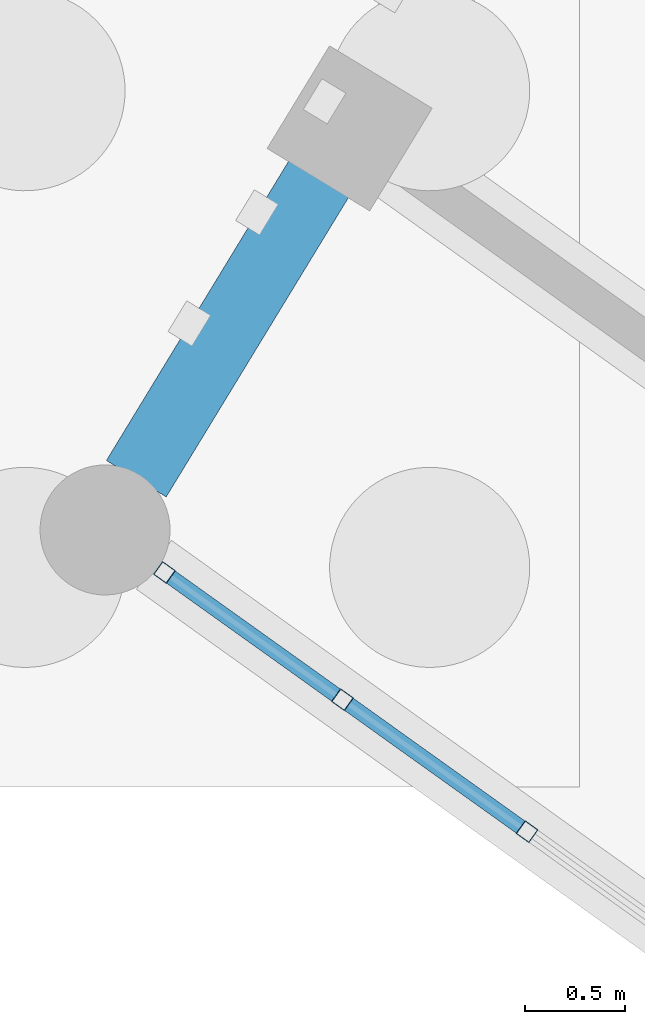
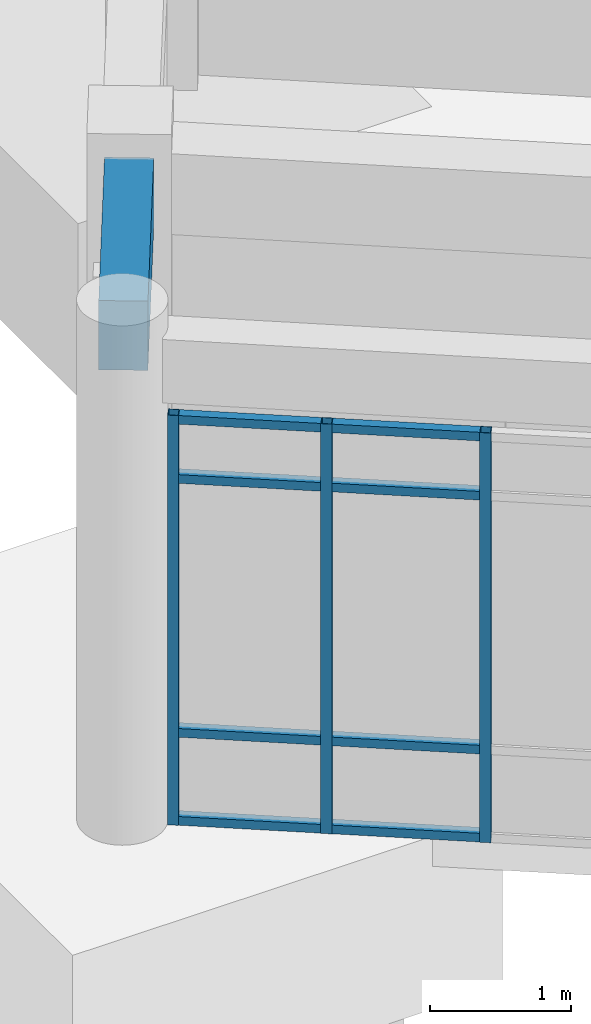
# One storey, part 77 of 153: 11 members, 1 beam, 1 element without a shape of its own.
"""IFC4 building model written with IfcOpenShell, lengths in metres."""

from ifc_helpers import new_model, si_unit, direction, frame, origin, origin_2d, place, context, subcontext, project, spatial, rectangle, hollow_rectangle, extrude, material, material_profile, profile_set, type_object, element, aggregate, save


model = new_model("IFC4")

# Units and contexts
model_context = context("Model", 3, precision=1e-05, world=origin(), true_north=direction((0.0, 1.0)))
body_context = subcontext(model_context, "Body", "Model", "MODEL_VIEW")
ifc_project = project(units=[si_unit("LENGTHUNIT", "METRE"), si_unit("AREAUNIT", "SQUARE_METRE"), si_unit("VOLUMEUNIT", "CUBIC_METRE"), si_unit("PLANEANGLEUNIT", "RADIAN"), si_unit("MASSUNIT", "GRAM", prefix="KILO")], contexts=[model_context])

# Site, building, storey
site_placement = place(None, origin())
site = spatial("IfcSite", under=ifc_project, at=site_placement, CompositionType="ELEMENT")
building_placement = place(site_placement, origin())
building = spatial("IfcBuilding", under=site, at=building_placement, Name="Celadon Cloister-Ring School", CompositionType="ELEMENT")
storey_placement = place(building_placement, origin())
storey = spatial("IfcBuildingStorey", under=building, at=storey_placement, Name="L00", CompositionType="ELEMENT", Elevation=0.0)

# Beam
ifc_material_1 = material(Name="Concrete C35/45", Category="concrete")
ifc_material_profile_1 = material_profile(ifc_material_1, rectangle(XDim=0.35009765625, YDim=0.60009765625, at=origin_2d()), Name="RC350X600")
ifc_profile_set_1 = profile_set([ifc_material_profile_1], Name="Concrete C35/45")
beam_type = type_object("IfcBeamType", Name="BT-02", PredefinedType="BEAM", material=ifc_profile_set_1)
beam_placement = place(storey_placement, frame((110.2490234375, 97.20703125, 3.97998046875), z_axis=(-0.520047301732, -0.854137461982, 0.0), x_axis=(0.854137461982, -0.520047301732, 0.0)))
element("IfcBeam", 1, at=beam_placement, inside=storey, type_object=beam_type, Name="Beam 0068", PredefinedType="BEAM", context=body_context, shape_type="SweptSolid", body=[
    extrude(rectangle(XDim=0.35009765625, YDim=0.60009765625, at=origin_2d()), origin(), (0.0, 0.0, 1.0), 1.77490234375),
])

# Curtain wall, members
ifc_material_2 = material(Name="Aluminium EN AW-6063 T6", Category="aluminium")
curtain_wall_type = type_object("IfcCurtainWallType", Name="CW-01", PredefinedType="USERDEFINED", material=ifc_material_2)
curtain_wall_placement = place(storey_placement, origin())
curtain_wall = element("IfcCurtainWall", 2, at=curtain_wall_placement, inside=storey, type_object=curtain_wall_type, Name="Curtain Wall 0020", ObjectType="CURTAIN WALL", PredefinedType="USERDEFINED")
ifc_material_3 = material(Name="Aluminium EN AW-6063 T6", Category="aluminium")
ifc_material_profile_2 = material_profile(ifc_material_3, hollow_rectangle(XDim=0.080078125, YDim=0.080078125, WallThickness=0.00390625, at=origin_2d()), Name="RHS80X80X4")
ifc_profile_set_2 = profile_set([ifc_material_profile_2], Name="Aluminium EN AW-6063 T6")
member_type_1 = type_object("IfcMemberType", Name="CM-03", PredefinedType="MULLION", material=ifc_profile_set_2)
member_1_placement = place(storey_placement, frame((111.27880859375, 93.92724609375, 0.0), z_axis=(0.0, 0.0, 1.0), x_axis=(-0.581555173434, -0.813506963862, 0.0)))
member_1 = element("IfcMember", 3, at=member_1_placement, type_object=member_type_1, Name="CW-01 mullion 4", PredefinedType="MULLION", context=body_context, shape_type="SweptSolid", body=[
    extrude(hollow_rectangle(XDim=0.080078125, YDim=0.080078125, WallThickness=0.00390625, at=origin_2d()), origin(), (0.0, 0.0, 1.0), 3.550048828125),
])
member_2_placement = place(storey_placement, frame((110.3564453125, 94.586669921875, 0.0), z_axis=(0.0, 0.0, 1.0), x_axis=(-0.581555173434, -0.813506963862, 0.0)))
member_2 = element("IfcMember", 4, at=member_2_placement, type_object=member_type_1, Name="CW-01 mullion 5", PredefinedType="MULLION", context=body_context, shape_type="SweptSolid", body=[
    extrude(hollow_rectangle(XDim=0.080078125, YDim=0.080078125, WallThickness=0.00390625, at=origin_2d()), origin(), (0.0, 0.0, 1.0), 3.550048828125),
])
member_3_placement = place(storey_placement, frame((109.466552734375, 95.22265625, 0.0), z_axis=(0.0, 0.0, 1.0), x_axis=(-0.581555173434, -0.813506963862, 0.0)))
member_3 = element("IfcMember", 5, at=member_3_placement, type_object=member_type_1, Name="CW-01 mullion 6", PredefinedType="MULLION", context=body_context, shape_type="SweptSolid", body=[
    extrude(hollow_rectangle(XDim=0.080078125, YDim=0.080078125, WallThickness=0.00390625, at=origin_2d()), origin(), (0.0, 0.0, 1.0), 3.550048828125),
])
ifc_material_4 = material(Name="Aluminium EN AW-6063 T6", Category="aluminium")
ifc_material_profile_3 = material_profile(ifc_material_4, hollow_rectangle(XDim=0.074951171875, YDim=0.074951171875, WallThickness=0.00390625, at=origin_2d()), Name="RHS75X75X4")
ifc_profile_set_3 = profile_set([ifc_material_profile_3], Name="Aluminium EN AW-6063 T6")
member_type_2 = type_object("IfcMemberType", Name="CTM-03", PredefinedType="USERDEFINED", material=ifc_profile_set_3)
member_4_placement = place(storey_placement, frame((111.246337890625, 93.950439453125, 0.03759765625), z_axis=(-0.813576917175, 0.581457306979, 0.0), x_axis=(-0.581457306979, -0.813576917175, 0.0)))
member_4 = element("IfcMember", 6, at=member_4_placement, type_object=member_type_2, Name="CW-01 transom 4.1", ObjectType="TRANSOM", PredefinedType="USERDEFINED", context=body_context, shape_type="SweptSolid", body=[
    extrude(hollow_rectangle(XDim=0.074951171875, YDim=0.074951171875, WallThickness=0.00390625, at=origin_2d()), origin(), (0.0, 0.0, 1.0), 1.053955078125),
])
member_5_placement = place(storey_placement, frame((111.246337890625, 93.950439453125, 0.800048828125), z_axis=(-0.813576917175, 0.581457306979, 0.0), x_axis=(-0.581457306979, -0.813576917175, 0.0)))
member_5 = element("IfcMember", 7, at=member_5_placement, type_object=member_type_2, Name="CW-01 transom 4.2", ObjectType="TRANSOM", PredefinedType="USERDEFINED", context=body_context, shape_type="SweptSolid", body=[
    extrude(hollow_rectangle(XDim=0.074951171875, YDim=0.074951171875, WallThickness=0.00390625, at=origin_2d()), origin(), (0.0, 0.0, 1.0), 1.053955078125),
])
member_6_placement = place(storey_placement, frame((111.246337890625, 93.950439453125, 3.0), z_axis=(-0.813576917175, 0.581457306979, 0.0), x_axis=(-0.581457306979, -0.813576917175, 0.0)))
member_6 = element("IfcMember", 8, at=member_6_placement, type_object=member_type_2, Name="CW-01 transom 4.3", ObjectType="TRANSOM", PredefinedType="USERDEFINED", context=body_context, shape_type="SweptSolid", body=[
    extrude(hollow_rectangle(XDim=0.074951171875, YDim=0.074951171875, WallThickness=0.00390625, at=origin_2d()), origin(), (0.0, 0.0, 1.0), 1.053955078125),
])
member_7_placement = place(storey_placement, frame((111.246337890625, 93.950439453125, 3.512451171875), z_axis=(-0.813576917175, 0.581457306979, 0.0), x_axis=(-0.581457306979, -0.813576917175, 0.0)))
member_7 = element("IfcMember", 9, at=member_7_placement, type_object=member_type_2, Name="CW-01 transom 4.4", ObjectType="TRANSOM", PredefinedType="USERDEFINED", context=body_context, shape_type="SweptSolid", body=[
    extrude(hollow_rectangle(XDim=0.074951171875, YDim=0.074951171875, WallThickness=0.00390625, at=origin_2d()), origin(), (0.0, 0.0, 1.0), 1.053955078125),
])
member_8_placement = place(storey_placement, frame((110.323974609375, 94.60986328125, 0.03759765625), z_axis=(-0.813570755116, 0.581465928856, 0.0), x_axis=(-0.581465928856, -0.813570755116, 0.0)))
member_8 = element("IfcMember", 10, at=member_8_placement, type_object=member_type_2, Name="CW-01 transom 5.1", ObjectType="TRANSOM", PredefinedType="USERDEFINED", context=body_context, shape_type="SweptSolid", body=[
    extrude(hollow_rectangle(XDim=0.074951171875, YDim=0.074951171875, WallThickness=0.00390625, at=origin_2d()), origin(), (0.0, 0.0, 1.0), 1.013916015625),
])
member_9_placement = place(storey_placement, frame((110.323974609375, 94.60986328125, 0.800048828125), z_axis=(-0.813570755116, 0.581465928856, 0.0), x_axis=(-0.581465928856, -0.813570755116, 0.0)))
member_9 = element("IfcMember", 11, at=member_9_placement, type_object=member_type_2, Name="CW-01 transom 5.2", ObjectType="TRANSOM", PredefinedType="USERDEFINED", context=body_context, shape_type="SweptSolid", body=[
    extrude(hollow_rectangle(XDim=0.074951171875, YDim=0.074951171875, WallThickness=0.00390625, at=origin_2d()), origin(), (0.0, 0.0, 1.0), 1.013916015625),
])
member_10_placement = place(storey_placement, frame((110.323974609375, 94.60986328125, 3.0), z_axis=(-0.813570755116, 0.581465928856, 0.0), x_axis=(-0.581465928856, -0.813570755116, 0.0)))
member_10 = element("IfcMember", 12, at=member_10_placement, type_object=member_type_2, Name="CW-01 transom 5.3", ObjectType="TRANSOM", PredefinedType="USERDEFINED", context=body_context, shape_type="SweptSolid", body=[
    extrude(hollow_rectangle(XDim=0.074951171875, YDim=0.074951171875, WallThickness=0.00390625, at=origin_2d()), origin(), (0.0, 0.0, 1.0), 1.013916015625),
])
member_11_placement = place(storey_placement, frame((110.323974609375, 94.60986328125, 3.512451171875), z_axis=(-0.813570755116, 0.581465928856, 0.0), x_axis=(-0.581465928856, -0.813570755116, 0.0)))
member_11 = element("IfcMember", 13, at=member_11_placement, type_object=member_type_2, Name="CW-01 transom 5.4", ObjectType="TRANSOM", PredefinedType="USERDEFINED", context=body_context, shape_type="SweptSolid", body=[
    extrude(hollow_rectangle(XDim=0.074951171875, YDim=0.074951171875, WallThickness=0.00390625, at=origin_2d()), origin(), (0.0, 0.0, 1.0), 1.013916015625),
])
aggregate(curtain_wall, [member_1, member_2, member_3, member_4, member_5, member_6, member_7, member_8, member_9, member_10, member_11])

save(model, "model.ifc")
